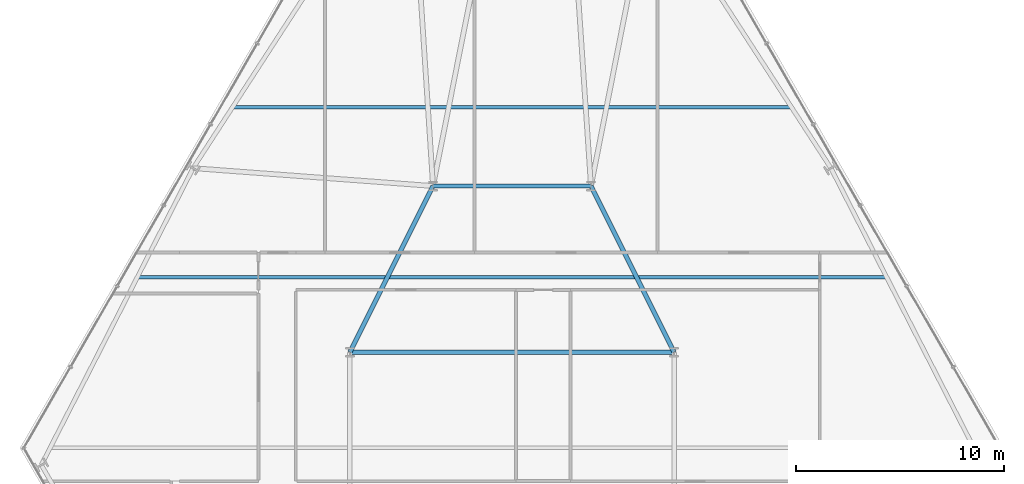
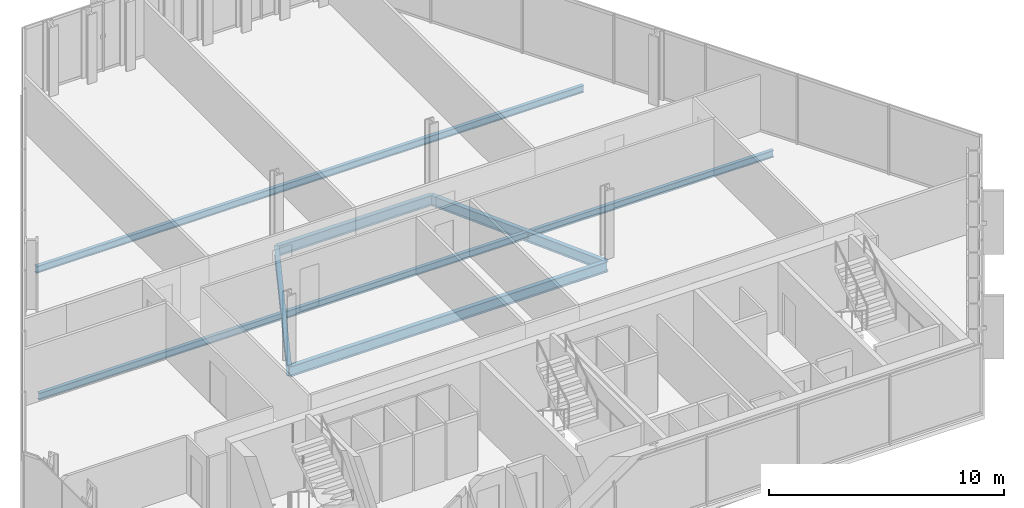
# One storey, part 14 of 32: 6 beams.
"""IFC4 building model written with IfcOpenShell, lengths in metres."""

from ifc_helpers import new_model, si_unit, direction, frame, origin, origin_2d, place, context, subcontext, project, spatial, i_section, extrude, material, material_profile, profile_set, type_object, element, save


model = new_model("IFC4")

# Units and contexts
model_context = context("Model", 3, precision=1e-05, world=origin(), true_north=direction((0.0, 1.0)))
body_context = subcontext(model_context, "Body", "Model", "MODEL_VIEW")
ifc_project = project(units=[si_unit("LENGTHUNIT", "METRE"), si_unit("AREAUNIT", "SQUARE_METRE"), si_unit("VOLUMEUNIT", "CUBIC_METRE"), si_unit("PLANEANGLEUNIT", "RADIAN"), si_unit("MASSUNIT", "GRAM", prefix="KILO")], contexts=[model_context])

# Site, building, storey
site_placement = place(None, origin())
site = spatial("IfcSite", under=ifc_project, at=site_placement, CompositionType="ELEMENT")
building_placement = place(site_placement, origin())
building = spatial("IfcBuilding", under=site, at=building_placement, Name="Ndaravel Arena Tower", CompositionType="ELEMENT")
storey_placement = place(building_placement, frame((0.0, 0.0, 62.60009765625)))
storey = spatial("IfcBuildingStorey", under=building, at=storey_placement, Name="L13", CompositionType="ELEMENT", Elevation=62.60009765625)

# Beams
ifc_material_1 = material(Name="Steel S355", Category="steel")
ifc_material_profile_1 = material_profile(ifc_material_1, i_section(OverallWidth=0.210693359375, OverallDepth=0.53955078125, WebThickness=0.01171875, FlangeThickness=0.018798828125, FilletRadius=0.0126953125, at=origin_2d()), Name="UB 533x210x109")
ifc_profile_set_1 = profile_set([ifc_material_profile_1], Name="Steel S355")
beam_type_1 = type_object("IfcBeamType", Name="BM-GIRD-UB533", PredefinedType="BEAM", material=ifc_profile_set_1)
beam_1_placement = place(storey_placement, frame((34.199951171875, 23.199951171875, -0.48974609375), z_axis=(1.0, 0.0, 0.0), x_axis=(0.0, 1.0, 0.0)))
element("IfcBeam", 1, at=beam_1_placement, inside=storey, type_object=beam_type_1, Name="L13 Spine Link Girder SLG-03", PredefinedType="BEAM", context=body_context, shape_type="SweptSolid", body=[
    extrude(i_section(OverallWidth=0.210693359375, OverallDepth=0.53955078125, WebThickness=0.01171875, FlangeThickness=0.018798828125, FilletRadius=0.0126953125, at=origin_2d()), origin(), (0.0, 0.0, 1.0), 15.60009765625),
])
for number, where, z_axis, x_axis, name in (
    (2, (34.199951171875, 23.199951171875, -0.48974609375), (0.4472135955, 0.894427191, 0.0), (-0.894427191, 0.4472135955, 0.0), "L13 Spine Link Girder SLG-04"),
    (3, (49.800048828125, 23.199951171875, -0.48974609375), (-0.4472135955, 0.894427191, 0.0), (-0.894427191, -0.4472135955, 0.0), "L13 Spine Link Girder SLG-05"),
):
    element("IfcBeam", number, at=place(storey_placement, frame(where, z_axis=z_axis, x_axis=x_axis)), inside=storey, type_object=beam_type_1, Name=name, PredefinedType="BEAM", context=body_context, shape_type="SweptSolid", body=[
        extrude(i_section(OverallWidth=0.210693359375, OverallDepth=0.53955078125, WebThickness=0.01171875, FlangeThickness=0.018798828125, FilletRadius=0.0126953125, at=origin_2d()), origin(), (0.0, 0.0, 1.0), 8.9443359375),
    ])
beam_2_placement = place(storey_placement, frame((38.199951171875, 31.199951171875, -0.48974609375), z_axis=(1.0, 0.0, 0.0), x_axis=(0.0, 1.0, 0.0)))
element("IfcBeam", 4, at=beam_2_placement, inside=storey, type_object=beam_type_1, Name="L13 Spine Link Girder SLG-06", PredefinedType="BEAM", context=body_context, shape_type="SweptSolid", body=[
    extrude(i_section(OverallWidth=0.210693359375, OverallDepth=0.53955078125, WebThickness=0.01171875, FlangeThickness=0.018798828125, FilletRadius=0.0126953125, at=origin_2d()), origin(), (0.0, 0.0, 1.0), 7.60009765625),
])
ifc_material_2 = material(Name="Steel S355", Category="steel")
ifc_material_profile_2 = material_profile(ifc_material_2, i_section(OverallWidth=0.169921875, OverallDepth=0.360107421875, WebThickness=0.008056640625, FlangeThickness=0.0126953125, FilletRadius=0.01806640625, at=origin_2d()), Name="IPE 360")
ifc_profile_set_2 = profile_set([ifc_material_profile_2], Name="Steel S355")
beam_type_2 = type_object("IfcBeamType", Name="BM-JOIST-IPE360", PredefinedType="JOIST", material=ifc_profile_set_2)
beam_3_placement = place(storey_placement, frame((23.964599609375, 26.800048828125, -0.400146484375), z_axis=(1.0, 0.0, 0.0), x_axis=(0.0, 1.0, 0.0)))
element("IfcBeam", 5, at=beam_3_placement, inside=storey, type_object=beam_type_2, Name="L13 Composite Floor Joist FJ-02", PredefinedType="JOIST", context=body_context, shape_type="SweptSolid", body=[
    extrude(i_section(OverallWidth=0.169921875, OverallDepth=0.360107421875, WebThickness=0.008056640625, FlangeThickness=0.0126953125, FilletRadius=0.01806640625, at=origin_2d()), origin(), (0.0, 0.0, 1.0), 36.07080078125),
])
beam_4_placement = place(storey_placement, frame((28.556884765625, 35.0, -0.400146484375), z_axis=(1.0, 0.0, 0.0), x_axis=(0.0, 1.0, 0.0)))
element("IfcBeam", 6, at=beam_4_placement, inside=storey, type_object=beam_type_2, Name="L13 Composite Floor Joist FJ-03", PredefinedType="JOIST", context=body_context, shape_type="SweptSolid", body=[
    extrude(i_section(OverallWidth=0.169921875, OverallDepth=0.360107421875, WebThickness=0.008056640625, FlangeThickness=0.0126953125, FilletRadius=0.01806640625, at=origin_2d()), origin(), (0.0, 0.0, 1.0), 26.88623046875),
])

save(model, "model.ifc")
